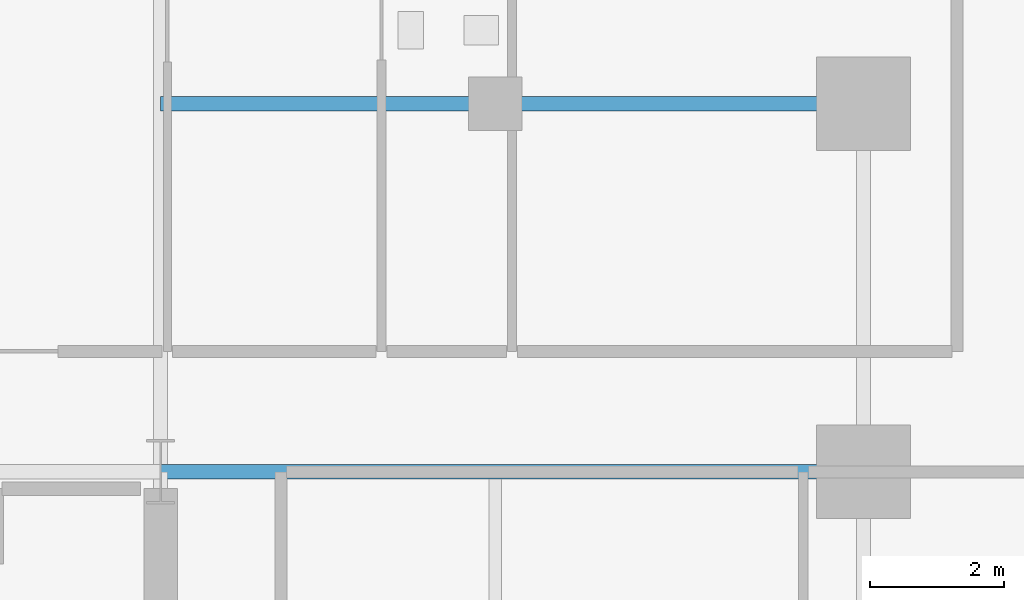
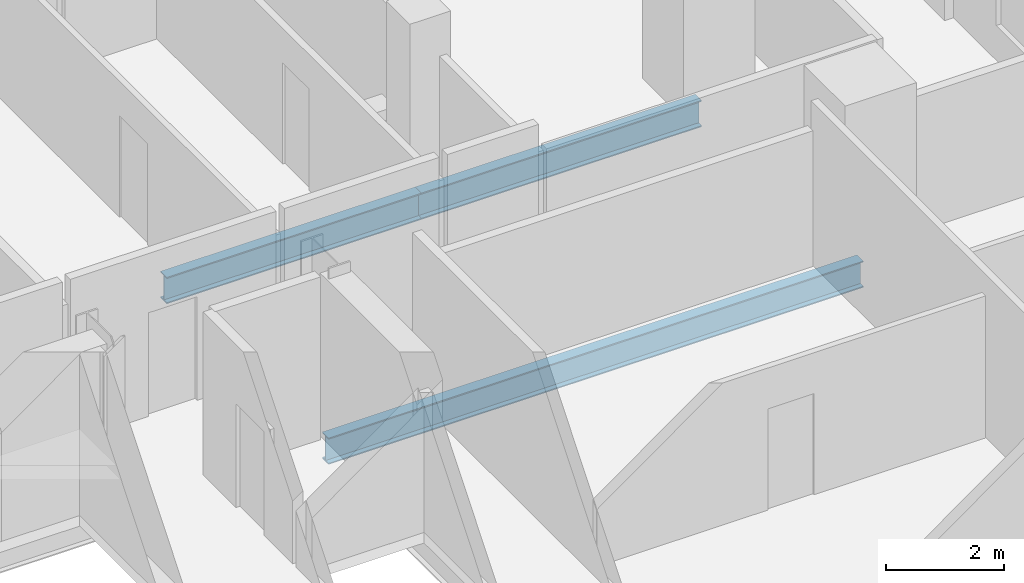
# One storey, part 14 of 23: 3 beams.
"""IFC4 building model written with IfcOpenShell, lengths in metres."""

from ifc_helpers import new_model, si_unit, direction, frame, origin, origin_2d, place, context, subcontext, project, spatial, i_section, extrude, material, material_profile, profile_set, type_object, element, save


model = new_model("IFC4")

# Units and contexts
model_context = context("Model", 3, precision=1e-05, world=origin(), true_north=direction((0.0, 1.0)))
body_context = subcontext(model_context, "Body", "Model", "MODEL_VIEW")
ifc_project = project(units=[si_unit("LENGTHUNIT", "METRE"), si_unit("AREAUNIT", "SQUARE_METRE"), si_unit("VOLUMEUNIT", "CUBIC_METRE"), si_unit("PLANEANGLEUNIT", "RADIAN"), si_unit("MASSUNIT", "GRAM", prefix="KILO")], contexts=[model_context])

# Site, building, storey
site_placement = place(None, origin())
site = spatial("IfcSite", under=ifc_project, at=site_placement, CompositionType="ELEMENT")
building_placement = place(site_placement, origin())
building = spatial("IfcBuilding", under=site, at=building_placement, Name="Barlavira Tower and Art Museum", CompositionType="ELEMENT")
storey_placement = place(building_placement, frame((0.0, 0.0, 64.800048828125)))
storey = spatial("IfcBuildingStorey", under=building, at=storey_placement, Name="L15", CompositionType="ELEMENT", Elevation=64.800048828125)

# Beams
ifc_material = material(Name="Steel S355", Category="steel")
ifc_material_profile = material_profile(ifc_material, i_section(OverallWidth=0.214111328125, OverallDepth=0.549072265625, WebThickness=0.0146484375, FlangeThickness=0.023681640625, at=origin_2d()), Name="W530x138.0")
ifc_profile_set = profile_set([ifc_material_profile], Name="Steel S355")
beam_type = type_object("IfcBeamType", Name="Zone 1 Primary Floor Girder W530x138 Steel S355", PredefinedType="BEAM", material=ifc_profile_set)
beam_1_placement = place(storey_placement, frame((6.5, 7.5, -0.49462890625), z_axis=(1.0, 0.0, 0.0), x_axis=(0.0, 1.0, 0.0)))
element("IfcBeam", 1, at=beam_1_placement, inside=storey, type_object=beam_type, Name="L15 Girder R-E2", PredefinedType="BEAM", context=body_context, shape_type="SweptSolid", body=[
    extrude(i_section(OverallWidth=0.214111328125, OverallDepth=0.549072265625, WebThickness=0.0146484375, FlangeThickness=0.023681640625, at=origin_2d()), origin(), (0.0, 0.0, 1.0), 10.5),
])
beam_2_placement = place(storey_placement, frame((6.5, 13.0, -0.49462890625), z_axis=(1.0, 0.0, 0.0), x_axis=(0.0, 1.0, 0.0)))
element("IfcBeam", 2, at=beam_2_placement, inside=storey, type_object=beam_type, Name="L15 Girder I-N3", PredefinedType="BEAM", context=body_context, shape_type="SweptSolid", body=[
    extrude(i_section(OverallWidth=0.214111328125, OverallDepth=0.549072265625, WebThickness=0.0146484375, FlangeThickness=0.023681640625, at=origin_2d()), origin(), (0.0, 0.0, 1.0), 5.0),
])
beam_3_placement = place(storey_placement, frame((11.5, 13.0, -0.49462890625), z_axis=(1.0, 0.0, 0.0), x_axis=(0.0, 1.0, 0.0)))
element("IfcBeam", 3, at=beam_3_placement, inside=storey, type_object=beam_type, Name="L15 Girder I-N4", PredefinedType="BEAM", context=body_context, shape_type="SweptSolid", body=[
    extrude(i_section(OverallWidth=0.214111328125, OverallDepth=0.549072265625, WebThickness=0.0146484375, FlangeThickness=0.023681640625, at=origin_2d()), origin(), (0.0, 0.0, 1.0), 5.5),
])

save(model, "model.ifc")
